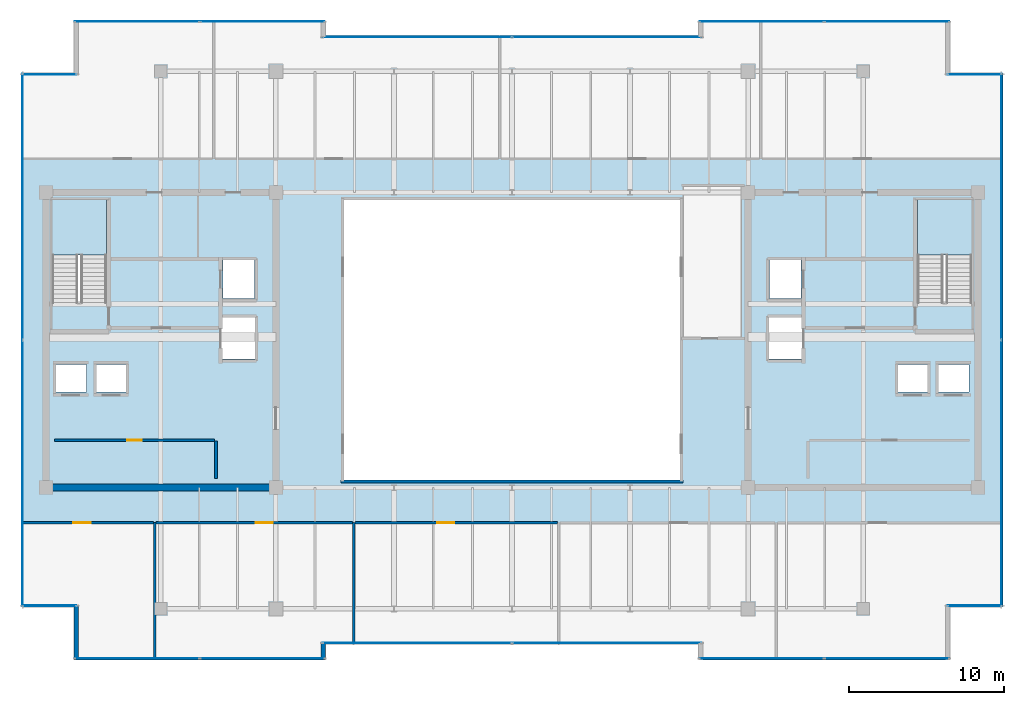
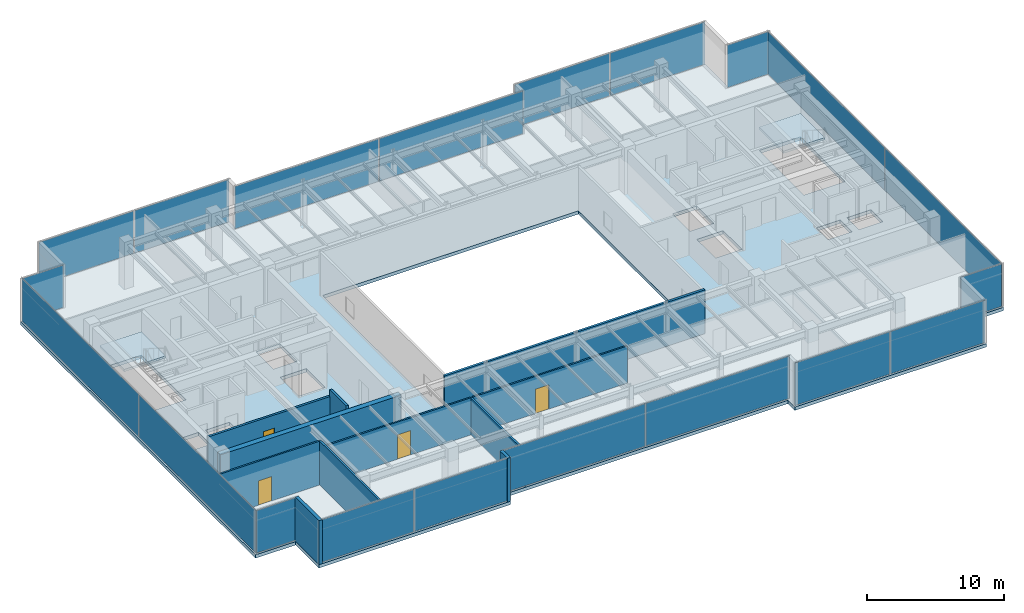
# One storey, part 26 of 34: 20 plates, 11 walls, 4 doors, 3 slabs, 4 openings, 14 elements without a shape of their own.
"""IFC4 building model written with IfcOpenShell, lengths in metres."""

import ifcopenshell
import ifcopenshell.guid

model = None  # the IFC model being written
_history = None  # IfcOwnerHistory: only IFC2X3 demands one
_inside = {}  # id of a spatial element -> (the spatial element, [elements in it])
_under = {}  # id of a project, library or spatial element -> (it, [spatial elements below it])
_declared = {}  # id of a project -> (the project, [libraries it declares])
_typed = {}  # id of a type object -> (the type object, [elements of that type])
_made_of = {}  # id of a material, layer set ... -> (it, [elements and type objects made of it])


def new_model(schema):
    """Start an empty IFC model of exactly this schema.

    Asked for "IFC4X3", IfcOpenShell would pick the latest addendum, in which some entities
    have other attributes; the version numbers below select the first issue.
    IFC2X3 requires an IfcOwnerHistory on every rooted entity: one is made here for all.
    """
    global model, _history
    if schema == "IFC4X3":
        model = ifcopenshell.file(schema_version=(4, 3, 0, 0))
    else:
        model = ifcopenshell.file(schema=schema)
    _inside.clear()
    _under.clear()
    _declared.clear()
    _typed.clear()
    _made_of.clear()
    _history = None
    if model.schema == "IFC2X3":
        org = make("IfcOrganization", Name="unknown")
        user = make(
            "IfcPersonAndOrganization",
            ThePerson=make("IfcPerson", FamilyName="unknown"),
            TheOrganization=org,
        )
        app = make(
            "IfcApplication",
            ApplicationDeveloper=org,
            Version="unknown",
            ApplicationFullName="unknown",
            ApplicationIdentifier="unknown",
        )
        _history = make(
            "IfcOwnerHistory",
            OwningUser=user,
            OwningApplication=app,
            ChangeAction="ADDED",
            CreationDate=0,
        )
    return model


def make(cls, **values):
    """One entity of the class cls with the attributes given. An attribute that is None is left unset."""
    return model.create_entity(
        cls, **{name: value for name, value in values.items() if value is not None}
    )


def rooted(cls, **values):
    """An entity with a GlobalId (a new one), such as an element, a storey or a relation."""
    return make(cls, GlobalId=ifcopenshell.guid.new(), OwnerHistory=_history, **values)


def si_unit(unit_type, name, prefix=None):
    """IfcSIUnit, for example si_unit("LENGTHUNIT", "METRE", prefix="MILLI")."""
    return make("IfcSIUnit", UnitType=unit_type, Prefix=prefix, Name=name)


def assignment(units):
    """IfcUnitAssignment: the units of a project."""
    return None if units is None else make("IfcUnitAssignment", Units=units)


def point(xyz):
    """IfcCartesianPoint."""
    return None if xyz is None else make("IfcCartesianPoint", Coordinates=xyz)


def direction(xyz):
    """IfcDirection."""
    return None if xyz is None else make("IfcDirection", DirectionRatios=xyz)


def frame(location, z_axis=None, x_axis=None):
    """IfcAxis2Placement3D, a coordinate frame: its origin and axes. An axis left out is left unset."""
    return make(
        "IfcAxis2Placement3D",
        Location=point(location),
        Axis=direction(z_axis),
        RefDirection=direction(x_axis),
    )


def frame_2d(location, x_axis=None):
    """IfcAxis2Placement2D, a coordinate frame in the plane: its origin and x axis."""
    return make(
        "IfcAxis2Placement2D", Location=point(location), RefDirection=direction(x_axis)
    )


def origin():
    """The frame at (0, 0, 0) with its axes left unset."""
    return frame((0.0, 0.0, 0.0))


def origin_2d():
    """The frame at (0, 0) in the plane with its x axis left unset."""
    return frame_2d((0.0, 0.0))


def place(relative_to, where):
    """IfcLocalPlacement: puts the frame where relative to a parent placement (None: the world)."""
    return make(
        "IfcLocalPlacement", PlacementRelTo=relative_to, RelativePlacement=where
    )


def context(
    kind, dimensions, precision=None, world=None, true_north=None, identifier=None
):
    """IfcGeometricRepresentationContext, for example the 3D "Model" context."""
    return make(
        "IfcGeometricRepresentationContext",
        ContextIdentifier=identifier,
        ContextType=kind,
        CoordinateSpaceDimension=dimensions,
        Precision=precision,
        WorldCoordinateSystem=world,
        TrueNorth=true_north,
    )


def subcontext(parent, identifier, kind, view, scale=None):
    """IfcGeometricRepresentationSubContext, for example "Body" below "Model"."""
    return make(
        "IfcGeometricRepresentationSubContext",
        ContextIdentifier=identifier,
        ContextType=kind,
        ParentContext=parent,
        TargetScale=scale,
        TargetView=view,
    )


def project(units=None, contexts=None):
    """IfcProject with its units and contexts."""
    return rooted(
        "IfcProject",
        Name="project",
        RepresentationContexts=contexts,
        UnitsInContext=assignment(units),
    )


def spatial(cls, under=None, at=None, **own):
    """A site, building, storey or space (cls), placed at a placement, below another one or the project."""
    s = rooted(cls, ObjectPlacement=at, **own)
    if under is not None:
        _under.setdefault(under.id(), (under, []))[1].append(s)
    return s


def polyline(points):
    """IfcPolyline through the points."""
    return make("IfcPolyline", Points=[point(p) for p in points])


def profile(cls, at=None, kind="AREA", **sizes):
    """A parametric profile (cls). Its sizes go by their IFC names, for example OverallWidth=200.0."""
    return make(cls, ProfileType=kind, Position=at, **sizes)


def rectangle(**sizes):
    """IfcRectangleProfileDef."""
    return profile("IfcRectangleProfileDef", **sizes)


def outline(outer, holes=None, kind="AREA"):
    """IfcArbitraryClosedProfileDef: a profile drawn as a closed curve; with holes, ...WithVoids."""
    if holes is None:
        return make("IfcArbitraryClosedProfileDef", ProfileType=kind, OuterCurve=outer)
    return make(
        "IfcArbitraryProfileDefWithVoids",
        ProfileType=kind,
        OuterCurve=outer,
        InnerCurves=holes,
    )


def extrude(swept, where, along, depth):
    """IfcExtrudedAreaSolid: the profile swept, set in the frame where, extruded along a direction by depth."""
    return make(
        "IfcExtrudedAreaSolid",
        SweptArea=swept,
        Position=where,
        ExtrudedDirection=direction(along),
        Depth=depth,
    )


def shape(context_of_items, identifier, shape_type, items):
    """IfcShapeRepresentation: the items that make up one representation, for example the "Body"."""
    return make(
        "IfcShapeRepresentation",
        ContextOfItems=context_of_items,
        RepresentationIdentifier=identifier,
        RepresentationType=shape_type,
        Items=items,
    )


def source(mapping_origin, context_of_items, identifier, shape_type, items):
    """IfcRepresentationMap: a shape defined once, which mapped items show again and again."""
    return make(
        "IfcRepresentationMap",
        MappingOrigin=mapping_origin,
        MappedRepresentation=shape(context_of_items, identifier, shape_type, items),
    )


def transform(
    local_origin,
    x_axis=None,
    y_axis=None,
    z_axis=None,
    scale=None,
    scale2=None,
    scale3=None,
    uniform=True,
):
    """IfcCartesianTransformationOperator3D, or its non-uniform kind. x_axis, y_axis, z_axis: its Axis1, 2, 3."""
    if uniform:
        return make(
            "IfcCartesianTransformationOperator3D",
            Axis1=direction(x_axis),
            Axis2=direction(y_axis),
            LocalOrigin=point(local_origin),
            Scale=scale,
            Axis3=direction(z_axis),
        )
    return make(
        "IfcCartesianTransformationOperator3DnonUniform",
        Axis1=direction(x_axis),
        Axis2=direction(y_axis),
        LocalOrigin=point(local_origin),
        Scale=scale,
        Axis3=direction(z_axis),
        Scale2=scale2,
        Scale3=scale3,
    )


def mapped(mapping_source, mapping_target):
    """IfcMappedItem: shows the shape of a source again, moved by a transform."""
    return make(
        "IfcMappedItem", MappingSource=mapping_source, MappingTarget=mapping_target
    )


def material(Name=None, Category=None):
    """IfcMaterial."""
    return make("IfcMaterial", Name=Name, Category=Category)


def layer(
    of_material, thickness, ventilated=None, Name=None, Category=None, Priority=None
):
    """IfcMaterialLayer: one layer of a wall or slab, of a material (None: an air gap)."""
    return make(
        "IfcMaterialLayer",
        Material=of_material,
        LayerThickness=thickness,
        IsVentilated=ventilated,
        Name=Name,
        Category=Category,
        Priority=Priority,
    )


def layer_set(layers, Name=None):
    """IfcMaterialLayerSet."""
    return make("IfcMaterialLayerSet", MaterialLayers=layers, LayerSetName=Name)


def made_of(thing, what):
    """Note that an element or type object is made of a material, layer set ...; save() writes the relation."""
    if what is not None:
        _made_of.setdefault(what.id(), (what, []))[1].append(thing)
    return thing


def type_object(cls, material=None, **own):
    """A type object (cls), such as IfcWallType, which elements share."""
    return made_of(rooted(cls, **own), material)


def type_shapes(of_type, sources):
    """Give a type object the sources (RepresentationMaps) that its elements show as mapped items."""
    of_type.RepresentationMaps = sources


def element(
    cls,
    number,
    at=None,
    inside=None,
    cuts=None,
    type_object=None,
    material=None,
    context=None,
    identifier="Body",
    shape_type=None,
    held_by="IfcProductDefinitionShape",
    body=None,
    shapes=None,
    **own,
):
    """One element of the class cls, such as IfcWall. Its Tag is "e" and its number.

    at: its placement. inside: the storey or other place that contains it. cuts: it is an
    opening in that element (IfcRelVoidsElement). A single representation is given by context,
    identifier, shape_type and body (its items); several are given by shapes. held_by: the class
    of the entity that holds the representations. save() writes the other relations.
    """
    e = rooted(cls, Tag="e%d" % number, ObjectPlacement=at, **own)
    if body is not None:
        shapes = [shape(context, identifier, shape_type, body)]
    if shapes is not None:
        e.Representation = make(held_by, Representations=shapes)
    if inside is not None:
        _inside.setdefault(inside.id(), (inside, []))[1].append(e)
    if cuts is not None:
        rooted(
            "IfcRelVoidsElement", RelatingBuildingElement=cuts, RelatedOpeningElement=e
        )
    if type_object is not None:
        _typed.setdefault(type_object.id(), (type_object, []))[1].append(e)
    return made_of(e, material)


def fill(opening, filler):
    """IfcRelFillsElement: the door or window that sits in an opening."""
    return rooted(
        "IfcRelFillsElement",
        RelatingOpeningElement=opening,
        RelatedBuildingElement=filler,
    )


def aggregate(whole, parts):
    """IfcRelAggregates: a whole, such as a stair, and the parts it consists of."""
    return rooted("IfcRelAggregates", RelatingObject=whole, RelatedObjects=parts)


def save(model, path):
    """Write the relations noted so far, then the file.

    IfcRelAggregates (storeys below a building ...), IfcRelContainedInSpatialStructure (elements
    in a storey), IfcRelDefinesByType, IfcRelAssociatesMaterial and IfcRelDeclares: one each for
    every whole, place, type object, material and project.
    """
    for whole, parts in _under.values():
        aggregate(whole, parts)
    for where, things in _inside.values():
        rooted(
            "IfcRelContainedInSpatialStructure",
            RelatedElements=things,
            RelatingStructure=where,
        )
    for kind, things in _typed.values():
        rooted("IfcRelDefinesByType", RelatedObjects=things, RelatingType=kind)
    for what, things in _made_of.values():
        rooted("IfcRelAssociatesMaterial", RelatedObjects=things, RelatingMaterial=what)
    for by, libraries in _declared.values():
        rooted("IfcRelDeclares", RelatingContext=by, RelatedDefinitions=libraries)
    model.write(path)


model = new_model("IFC4")

# Units and contexts
model_context = context("Model", 3, precision=1e-05, world=origin(), true_north=direction((0.0, 1.0)))
body_context = subcontext(model_context, "Body", "Model", "MODEL_VIEW")
ifc_project = project(units=[si_unit("LENGTHUNIT", "METRE"), si_unit("AREAUNIT", "SQUARE_METRE"), si_unit("VOLUMEUNIT", "CUBIC_METRE"), si_unit("PLANEANGLEUNIT", "RADIAN"), si_unit("MASSUNIT", "GRAM", prefix="KILO")], contexts=[model_context])

# Site, building, storey
site_placement = place(None, origin())
site = spatial("IfcSite", under=ifc_project, at=site_placement, CompositionType="ELEMENT")
building_placement = place(site_placement, origin())
building = spatial("IfcBuilding", under=site, at=building_placement, Name="Haelvirn Gate Laboratories", CompositionType="ELEMENT")
storey_placement = place(building_placement, frame((0.0, 0.0, 322.800048828125)))
storey = spatial("IfcBuildingStorey", under=building, at=storey_placement, Name="L77", CompositionType="ELEMENT", Elevation=322.800048828125)

# Stair, slab
ifc_material_1 = material(Name="Concrete C40/50", Category="concrete")
stair_type = type_object("IfcStairType", Name="ST-DOG-1650-R24", PredefinedType="HALF_TURN_STAIR", material=ifc_material_1)
stair_1_placement = place(storey_placement, origin())
stair_1 = element("IfcStair", 1, at=stair_1_placement, inside=storey, type_object=stair_type, Name="L77 Escape Stair ST1", PredefinedType="HALF_TURN_STAIR")
ifc_layer_1 = layer(ifc_material_1, 0.199951171875, Name="SL-STAIR-LND")
ifc_layer_set_1 = layer_set([ifc_layer_1], Name="Concrete C40/50")
slab_type_1 = type_object("IfcSlabType", Name="SL-STAIR-LND", PredefinedType="LANDING", material=ifc_layer_set_1)
slab_1_placement = place(storey_placement, frame((0.0, 0.0, 1.89990234375)))
slab_1 = element("IfcSlab", 2, at=slab_1_placement, type_object=slab_type_1, Name="ST1 landing 1", PredefinedType="LANDING", context=body_context, shape_type="SweptSolid", body=[
    extrude(outline(polyline([(11.300048828125, 29.780029296875), (11.300048828125, 33.35009765625), (7.800048828125, 33.35009765625), (7.800048828125, 29.780029296875), (11.300048828125, 29.780029296875)])), origin(), (0.0, 0.0, 1.0), 0.199951171875),
])
aggregate(stair_1, [slab_1])

stair_2_placement = place(storey_placement, origin())
stair_2 = element("IfcStair", 3, at=stair_2_placement, inside=storey, type_object=stair_type, Name="L77 Escape Stair ST2", PredefinedType="HALF_TURN_STAIR")
slab_2_placement = place(storey_placement, frame((0.0, 0.0, 1.89990234375)))
slab_2 = element("IfcSlab", 4, at=slab_2_placement, type_object=slab_type_1, Name="ST2 landing 1", PredefinedType="LANDING", context=body_context, shape_type="SweptSolid", body=[
    extrude(outline(polyline([(67.0, 29.780029296875), (67.0, 33.35009765625), (63.5, 33.35009765625), (63.5, 29.780029296875), (67.0, 29.780029296875)])), origin(), (0.0, 0.0, 1.0), 0.199951171875),
])
aggregate(stair_2, [slab_2])

# Slab
ifc_layer_2 = layer(ifc_material_1, 0.300048828125, Name="SL-Z3-300")
ifc_layer_set_2 = layer_set([ifc_layer_2], Name="Concrete C40/50")
slab_type_2 = type_object("IfcSlabType", Name="SL-Z3-300", PredefinedType="FLOOR", material=ifc_layer_set_2)
slab_3_placement = place(storey_placement, frame((0.0, 0.0, -0.300048828125)))
element("IfcSlab", 5, at=slab_3_placement, inside=storey, type_object=slab_type_2, Name="L77 Structural Slab MAIN", PredefinedType="FLOOR", context=body_context, shape_type="SweptSolid", body=[
    extrude(outline(polyline([(9.199951171875, 3.699951171875), (25.39990234375, 3.699951171875), (25.39990234375, 4.699951171875), (49.39990234375, 4.699951171875), (49.39990234375, 3.699951171875), (65.60009765625, 3.699951171875), (65.60009765625, 7.10009765625), (69.0, 7.10009765625), (69.0, 41.5), (65.60009765625, 41.5), (65.60009765625, 44.89990234375), (49.39990234375, 44.89990234375), (49.39990234375, 43.89990234375), (25.39990234375, 43.89990234375), (25.39990234375, 44.89990234375), (9.199951171875, 44.89990234375), (9.199951171875, 41.5), (5.800048828125, 41.5), (5.800048828125, 7.10009765625), (9.199951171875, 7.10009765625), (9.199951171875, 3.699951171875)]), holes=[polyline([(26.60009765625, 15.300048828125), (48.199951171875, 15.300048828125), (48.199951171875, 33.300048828125), (26.60009765625, 33.300048828125), (26.60009765625, 15.300048828125)]), polyline([(11.300048828125, 26.780029296875), (11.300048828125, 33.35009765625), (7.800048828125, 33.35009765625), (7.800048828125, 26.780029296875), (11.300048828125, 26.780029296875)]), polyline([(67.0, 26.780029296875), (67.0, 33.35009765625), (63.5, 33.35009765625), (63.5, 26.780029296875), (67.0, 26.780029296875)]), polyline([(7.989990234375, 20.969970703125), (10.010009765625, 20.969970703125), (10.010009765625, 22.7099609375), (7.989990234375, 22.7099609375), (7.989990234375, 20.969970703125)]), polyline([(10.590087890625, 20.969970703125), (12.610107421875, 20.969970703125), (12.610107421875, 22.7099609375), (10.590087890625, 22.7099609375), (10.590087890625, 20.969970703125)]), polyline([(18.7900390625, 26.969970703125), (20.81005859375, 26.969970703125), (20.81005859375, 29.510009765625), (18.7900390625, 29.510009765625), (18.7900390625, 26.969970703125)]), polyline([(18.68994140625, 23.070068359375), (20.909912109375, 23.070068359375), (20.909912109375, 25.81005859375), (18.68994140625, 25.81005859375), (18.68994140625, 23.070068359375)]), polyline([(64.7900390625, 20.969970703125), (66.81005859375, 20.969970703125), (66.81005859375, 22.7099609375), (64.7900390625, 22.7099609375), (64.7900390625, 20.969970703125)]), polyline([(62.18994140625, 20.969970703125), (64.2099609375, 20.969970703125), (64.2099609375, 22.7099609375), (62.18994140625, 22.7099609375), (62.18994140625, 20.969970703125)]), polyline([(53.989990234375, 26.969970703125), (56.010009765625, 26.969970703125), (56.010009765625, 29.510009765625), (53.989990234375, 29.510009765625), (53.989990234375, 26.969970703125)]), polyline([(53.889892578125, 23.070068359375), (56.110107421875, 23.070068359375), (56.110107421875, 25.81005859375), (53.889892578125, 25.81005859375), (53.889892578125, 23.070068359375)])]), origin(), (0.0, 0.0, 1.0), 0.300048828125),
])

# Curtain wall, plates
ifc_material_2 = material(Name="Anodised bronze unitised aluminium & triple low-E glass", Category="aluminium")
ifc_layer_3 = layer(ifc_material_2, 0.176025390625, Name="CW-SYS-4")
ifc_layer_set_3 = layer_set([ifc_layer_3], Name="Anodised bronze unitised aluminium & triple low-E glass")
curtain_wall_type_1 = type_object("IfcCurtainWallType", Name="CW-SYS-4", PredefinedType="NOTDEFINED", material=ifc_layer_set_3)
curtain_wall_1_placement = place(storey_placement, origin())
curtain_wall_1 = element("IfcCurtainWall", 6, at=curtain_wall_1_placement, inside=storey, type_object=curtain_wall_type_1, Name="L77 Unitised Curtain Wall CW-L77-P0-E00-1", PredefinedType="NOTDEFINED")
ifc_material_3 = material(Name="Acoustic laminated bronze triple IGU 36 mm", Category="glass")
ifc_layer_4 = layer(ifc_material_3, 0.035888671875, Name="CWP-IGU-36")
ifc_layer_set_4 = layer_set([ifc_layer_4], Name="Acoustic laminated bronze triple IGU 36 mm")
plate_type_1 = type_object("IfcPlateType", Name="CWP-IGU-36", PredefinedType="CURTAIN_PANEL", material=ifc_layer_set_4)
shared_shape_1 = source(origin(), body_context, "Body", "SweptSolid", [
    extrude(rectangle(XDim=7.9951171875, YDim=0.035888671875, at=origin_2d()), origin(), (0.0, 0.0, 1.0), 3.7900390625),
])
plate_1_placement = place(storey_placement, frame((13.267578125, 3.800048828125, 0.06494140625), z_axis=(0.0, 0.0, 1.0), x_axis=(1.0, 0.0, 0.0)))
plate_1 = element("IfcPlate", 7, at=plate_1_placement, type_object=plate_type_1, Name="CW4 panel 1.1", PredefinedType="CURTAIN_PANEL", context=body_context, shape_type="MappedRepresentation", body=[
    mapped(shared_shape_1, transform((0.0, 0.0, 0.0), scale=1.0)),
])
plate_2_placement = place(storey_placement, frame((21.33251953125, 3.800048828125, 0.06494140625), z_axis=(0.0, 0.0, 1.0), x_axis=(1.0, 0.0, 0.0)))
plate_2 = element("IfcPlate", 8, at=plate_2_placement, type_object=plate_type_1, Name="CW4 panel 2.1", PredefinedType="CURTAIN_PANEL", context=body_context, shape_type="MappedRepresentation", body=[
    mapped(shared_shape_1, transform((0.0, 0.0, 0.0), scale=1.0)),
])
aggregate(curtain_wall_1, [plate_1, plate_2])

curtain_wall_2_placement = place(storey_placement, origin())
curtain_wall_2 = element("IfcCurtainWall", 9, at=curtain_wall_2_placement, inside=storey, type_object=curtain_wall_type_1, Name="L77 Unitised Curtain Wall CW-L77-P0-E04-1", PredefinedType="NOTDEFINED")
plate_3_placement = place(storey_placement, frame((53.467529296875, 3.800048828125, 0.06494140625), z_axis=(0.0, 0.0, 1.0), x_axis=(1.0, 0.0, 0.0)))
plate_3 = element("IfcPlate", 10, at=plate_3_placement, type_object=plate_type_1, Name="CW4 panel 1.1", PredefinedType="CURTAIN_PANEL", context=body_context, shape_type="MappedRepresentation", body=[
    mapped(shared_shape_1, transform((0.0, 0.0, 0.0), scale=1.0)),
])
plate_4_placement = place(storey_placement, frame((61.532470703125, 3.800048828125, 0.06494140625), z_axis=(0.0, 0.0, 1.0), x_axis=(1.0, 0.0, 0.0)))
plate_4 = element("IfcPlate", 11, at=plate_4_placement, type_object=plate_type_1, Name="CW4 panel 2.1", PredefinedType="CURTAIN_PANEL", context=body_context, shape_type="MappedRepresentation", body=[
    mapped(shared_shape_1, transform((0.0, 0.0, 0.0), scale=1.0)),
])
aggregate(curtain_wall_2, [plate_3, plate_4])

curtain_wall_3_placement = place(storey_placement, origin())
curtain_wall_3 = element("IfcCurtainWall", 12, at=curtain_wall_3_placement, inside=storey, type_object=curtain_wall_type_1, Name="L77 Unitised Curtain Wall CW-L77-P0-E10-1", PredefinedType="NOTDEFINED")
plate_5_placement = place(storey_placement, frame((53.467529296875, 44.800048828125, 0.06494140625), z_axis=(0.0, 0.0, 1.0), x_axis=(1.0, 0.0, 0.0)))
plate_5 = element("IfcPlate", 13, at=plate_5_placement, type_object=plate_type_1, Name="CW4 panel 1.1", PredefinedType="CURTAIN_PANEL", context=body_context, shape_type="MappedRepresentation", body=[
    mapped(shared_shape_1, transform((0.0, 0.0, 0.0), scale=1.0)),
])
plate_6_placement = place(storey_placement, frame((61.532470703125, 44.800048828125, 0.06494140625), z_axis=(0.0, 0.0, 1.0), x_axis=(1.0, 0.0, 0.0)))
plate_6 = element("IfcPlate", 14, at=plate_6_placement, type_object=plate_type_1, Name="CW4 panel 2.1", PredefinedType="CURTAIN_PANEL", context=body_context, shape_type="MappedRepresentation", body=[
    mapped(shared_shape_1, transform((0.0, 0.0, 0.0), scale=1.0)),
])
aggregate(curtain_wall_3, [plate_5, plate_6])

curtain_wall_4_placement = place(storey_placement, origin())
curtain_wall_4 = element("IfcCurtainWall", 15, at=curtain_wall_4_placement, inside=storey, type_object=curtain_wall_type_1, Name="L77 Unitised Curtain Wall CW-L77-P0-E14-1", PredefinedType="NOTDEFINED")
plate_7_placement = place(storey_placement, frame((13.267578125, 44.800048828125, 0.06494140625), z_axis=(0.0, 0.0, 1.0), x_axis=(1.0, 0.0, 0.0)))
plate_7 = element("IfcPlate", 16, at=plate_7_placement, type_object=plate_type_1, Name="CW4 panel 1.1", PredefinedType="CURTAIN_PANEL", context=body_context, shape_type="MappedRepresentation", body=[
    mapped(shared_shape_1, transform((0.0, 0.0, 0.0), scale=1.0)),
])
plate_8_placement = place(storey_placement, frame((21.33251953125, 44.800048828125, 0.06494140625), z_axis=(0.0, 0.0, 1.0), x_axis=(1.0, 0.0, 0.0)))
plate_8 = element("IfcPlate", 17, at=plate_8_placement, type_object=plate_type_1, Name="CW4 panel 2.1", PredefinedType="CURTAIN_PANEL", context=body_context, shape_type="MappedRepresentation", body=[
    mapped(shared_shape_1, transform((0.0, 0.0, 0.0), scale=1.0)),
])
aggregate(curtain_wall_4, [plate_7, plate_8])

curtain_wall_5_placement = place(storey_placement, origin())
curtain_wall_5 = element("IfcCurtainWall", 18, at=curtain_wall_5_placement, inside=storey, type_object=curtain_wall_type_1, Name="L77 Unitised Curtain Wall CW-L77-P0-E02-1", PredefinedType="NOTDEFINED")
shared_shape_2 = source(origin(), body_context, "Body", "SweptSolid", [
    extrude(rectangle(XDim=12.135009765625, YDim=0.035888671875, at=origin_2d()), origin(), (0.0, 0.0, 1.0), 3.7900390625),
])
plate_9_placement = place(storey_placement, frame((31.297607421875, 4.800048828125, 0.06494140625), z_axis=(0.0, 0.0, 1.0), x_axis=(1.0, 0.0, 0.0)))
plate_9 = element("IfcPlate", 19, at=plate_9_placement, type_object=plate_type_1, Name="CW4 panel 1.1", PredefinedType="CURTAIN_PANEL", context=body_context, shape_type="MappedRepresentation", body=[
    mapped(shared_shape_2, transform((0.0, 0.0, 0.0), scale=1.0)),
])
plate_10_placement = place(storey_placement, frame((43.50244140625, 4.800048828125, 0.06494140625), z_axis=(0.0, 0.0, 1.0), x_axis=(1.0, 0.0, 0.0)))
plate_10 = element("IfcPlate", 20, at=plate_10_placement, type_object=plate_type_1, Name="CW4 panel 2.1", PredefinedType="CURTAIN_PANEL", context=body_context, shape_type="MappedRepresentation", body=[
    mapped(shared_shape_2, transform((0.0, 0.0, 0.0), scale=1.0)),
])
aggregate(curtain_wall_5, [plate_9, plate_10])

curtain_wall_6_placement = place(storey_placement, origin())
curtain_wall_6 = element("IfcCurtainWall", 21, at=curtain_wall_6_placement, inside=storey, type_object=curtain_wall_type_1, Name="L77 Unitised Curtain Wall CW-L77-P0-E12-1", PredefinedType="NOTDEFINED")
plate_11_placement = place(storey_placement, frame((31.297607421875, 43.800048828125, 0.06494140625), z_axis=(0.0, 0.0, 1.0), x_axis=(1.0, 0.0, 0.0)))
plate_11 = element("IfcPlate", 22, at=plate_11_placement, type_object=plate_type_1, Name="CW4 panel 1.1", PredefinedType="CURTAIN_PANEL", context=body_context, shape_type="MappedRepresentation", body=[
    mapped(shared_shape_2, transform((0.0, 0.0, 0.0), scale=1.0)),
])
plate_12_placement = place(storey_placement, frame((43.50244140625, 43.800048828125, 0.06494140625), z_axis=(0.0, 0.0, 1.0), x_axis=(1.0, 0.0, 0.0)))
plate_12 = element("IfcPlate", 23, at=plate_12_placement, type_object=plate_type_1, Name="CW4 panel 2.1", PredefinedType="CURTAIN_PANEL", context=body_context, shape_type="MappedRepresentation", body=[
    mapped(shared_shape_2, transform((0.0, 0.0, 0.0), scale=1.0)),
])
aggregate(curtain_wall_6, [plate_11, plate_12])

# Curtain wall, plate
ifc_layer_5 = layer(ifc_material_2, 0.181884765625, Name="CW-SYS-5")
ifc_layer_set_5 = layer_set([ifc_layer_5], Name="Anodised bronze unitised aluminium & triple low-E glass")
curtain_wall_type_2 = type_object("IfcCurtainWallType", Name="CW-SYS-5", PredefinedType="NOTDEFINED", material=ifc_layer_set_5)
curtain_wall_7_placement = place(storey_placement, origin())
curtain_wall_7 = element("IfcCurtainWall", 24, at=curtain_wall_7_placement, inside=storey, type_object=curtain_wall_type_2, Name="L77 Unitised Curtain Wall CW-L77-P0-E06-1", PredefinedType="NOTDEFINED")
ifc_material_4 = material(Name="Clear low-iron notched-corner triple IGU 42 mm", Category="glass")
ifc_layer_6 = layer(ifc_material_4, 0.0419921875, Name="CWP-NTC-42")
ifc_layer_set_6 = layer_set([ifc_layer_6], Name="Clear low-iron notched-corner triple IGU 42 mm")
plate_type_2 = type_object("IfcPlateType", Name="CWP-NTC-42", PredefinedType="CURTAIN_PANEL", material=ifc_layer_set_6)
shared_shape_3 = source(origin(), body_context, "Body", "SweptSolid", [
    extrude(rectangle(XDim=3.47998046875, YDim=0.0419921875, at=origin_2d()), origin(), (0.0, 0.0, 1.0), 3.7900390625),
])
type_shapes(plate_type_2, [shared_shape_3])
plate_13_placement = place(storey_placement, frame((67.179931640625, 7.199951171875, 0.06494140625), z_axis=(0.0, 0.0, 1.0), x_axis=(1.0, 0.0, 0.0)))
plate_13 = element("IfcPlate", 25, at=plate_13_placement, type_object=plate_type_2, Name="CW5 panel 1.1", PredefinedType="CURTAIN_PANEL", context=body_context, shape_type="MappedRepresentation", body=[
    mapped(shared_shape_3, transform((0.0, 0.0, 0.0), scale=1.0)),
])
aggregate(curtain_wall_7, [plate_13])

curtain_wall_8_placement = place(storey_placement, origin())
curtain_wall_8 = element("IfcCurtainWall", 26, at=curtain_wall_8_placement, inside=storey, type_object=curtain_wall_type_2, Name="L77 Unitised Curtain Wall CW-L77-P0-E08-1", PredefinedType="NOTDEFINED")
plate_14_placement = place(storey_placement, frame((67.179931640625, 41.39990234375, 0.06494140625), z_axis=(0.0, 0.0, 1.0), x_axis=(1.0, 0.0, 0.0)))
plate_14 = element("IfcPlate", 27, at=plate_14_placement, type_object=plate_type_2, Name="CW5 panel 1.1", PredefinedType="CURTAIN_PANEL", context=body_context, shape_type="MappedRepresentation", body=[
    mapped(shared_shape_3, transform((0.0, 0.0, 0.0), scale=1.0)),
])
aggregate(curtain_wall_8, [plate_14])

curtain_wall_9_placement = place(storey_placement, origin())
curtain_wall_9 = element("IfcCurtainWall", 28, at=curtain_wall_9_placement, inside=storey, type_object=curtain_wall_type_2, Name="L77 Unitised Curtain Wall CW-L77-P0-E16-1", PredefinedType="NOTDEFINED")
plate_15_placement = place(storey_placement, frame((7.6201171875, 41.39990234375, 0.06494140625), z_axis=(0.0, 0.0, 1.0), x_axis=(1.0, 0.0, 0.0)))
plate_15 = element("IfcPlate", 29, at=plate_15_placement, type_object=plate_type_2, Name="CW5 panel 1.1", PredefinedType="CURTAIN_PANEL", context=body_context, shape_type="MappedRepresentation", body=[
    mapped(shared_shape_3, transform((0.0, 0.0, 0.0), scale=1.0)),
])
aggregate(curtain_wall_9, [plate_15])

curtain_wall_10_placement = place(storey_placement, origin())
curtain_wall_10 = element("IfcCurtainWall", 30, at=curtain_wall_10_placement, inside=storey, type_object=curtain_wall_type_2, Name="L77 Unitised Curtain Wall CW-L77-P0-E18-1", PredefinedType="NOTDEFINED")
plate_16_placement = place(storey_placement, frame((7.6201171875, 7.199951171875, 0.06494140625), z_axis=(0.0, 0.0, 1.0), x_axis=(1.0, 0.0, 0.0)))
plate_16 = element("IfcPlate", 31, at=plate_16_placement, type_object=plate_type_2, Name="CW5 panel 1.1", PredefinedType="CURTAIN_PANEL", context=body_context, shape_type="MappedRepresentation", body=[
    mapped(shared_shape_3, transform((0.0, 0.0, 0.0), scale=1.0)),
])
aggregate(curtain_wall_10, [plate_16])

# Curtain wall, plates
curtain_wall_11_placement = place(storey_placement, origin())
curtain_wall_11 = element("IfcCurtainWall", 32, at=curtain_wall_11_placement, inside=storey, type_object=curtain_wall_type_1, Name="L77 Unitised Curtain Wall CW-L77-P0-E07", PredefinedType="NOTDEFINED")
shared_shape_4 = source(origin(), body_context, "Body", "SweptSolid", [
    extrude(rectangle(XDim=17.094970703125, YDim=0.035888671875, at=origin_2d()), origin(), (0.0, 0.0, 1.0), 3.7900390625),
])
type_shapes(plate_type_1, [shared_shape_1, shared_shape_2, shared_shape_4])
plate_17_placement = place(storey_placement, frame((68.89990234375, 15.717529296875, 0.06494140625), z_axis=(0.0, 0.0, 1.0), x_axis=(0.0, 1.0, 0.0)))
plate_17 = element("IfcPlate", 33, at=plate_17_placement, type_object=plate_type_1, Name="CW4 panel 1.1", PredefinedType="CURTAIN_PANEL", context=body_context, shape_type="MappedRepresentation", body=[
    mapped(shared_shape_4, transform((0.0, 0.0, 0.0), scale=1.0)),
])
plate_18_placement = place(storey_placement, frame((68.89990234375, 32.882568359375, 0.06494140625), z_axis=(0.0, 0.0, 1.0), x_axis=(0.0, 1.0, 0.0)))
plate_18 = element("IfcPlate", 34, at=plate_18_placement, type_object=plate_type_1, Name="CW4 panel 2.1", PredefinedType="CURTAIN_PANEL", context=body_context, shape_type="MappedRepresentation", body=[
    mapped(shared_shape_4, transform((0.0, 0.0, 0.0), scale=1.0)),
])
aggregate(curtain_wall_11, [plate_17, plate_18])

curtain_wall_12_placement = place(storey_placement, origin())
curtain_wall_12 = element("IfcCurtainWall", 35, at=curtain_wall_12_placement, inside=storey, type_object=curtain_wall_type_1, Name="L77 Unitised Curtain Wall CW-L77-P0-E17", PredefinedType="NOTDEFINED")
plate_19_placement = place(storey_placement, frame((5.89990234375, 32.882568359375, 0.06494140625), z_axis=(0.0, 0.0, 1.0), x_axis=(0.0, -1.0, 0.0)))
plate_19 = element("IfcPlate", 36, at=plate_19_placement, type_object=plate_type_1, Name="CW4 panel 1.1", PredefinedType="CURTAIN_PANEL", context=body_context, shape_type="MappedRepresentation", body=[
    mapped(shared_shape_4, transform((0.0, 0.0, 0.0), scale=1.0)),
])
plate_20_placement = place(storey_placement, frame((5.89990234375, 15.717529296875, 0.06494140625), z_axis=(0.0, 0.0, 1.0), x_axis=(0.0, -1.0, 0.0)))
plate_20 = element("IfcPlate", 37, at=plate_20_placement, type_object=plate_type_1, Name="CW4 panel 2.1", PredefinedType="CURTAIN_PANEL", context=body_context, shape_type="MappedRepresentation", body=[
    mapped(shared_shape_4, transform((0.0, 0.0, 0.0), scale=1.0)),
])
aggregate(curtain_wall_12, [plate_19, plate_20])

# Walls
ifc_material_5 = material(Name="Thermally-broken bronze aluminium rainscreen & mineral wool", Category="aluminium")
ifc_layer_7 = layer(ifc_material_5, 0.280029296875, Name="EW-TERR-280")
ifc_layer_set_7 = layer_set([ifc_layer_7], Name="Thermally-broken bronze aluminium rainscreen & mineral wool")
wall_type_1 = type_object("IfcWallType", Name="EW-TERR-280", PredefinedType="STANDARD", material=ifc_layer_set_7)
wall_1_placement = place(storey_placement, frame((25.260009765625, 3.699951171875, 0.0), z_axis=(0.0, 0.0, 1.0), x_axis=(0.0, 1.0, 0.0)))
element("IfcWall", 38, at=wall_1_placement, inside=storey, type_object=wall_type_1, Name="L77 Atrium Recess Bronze Return Wall 01", PredefinedType="STANDARD", context=body_context, shape_type="SweptSolid", body=[
    extrude(rectangle(XDim=1.093017578125, YDim=0.280029296875, at=frame_2d((0.54638671875, 0.0))), origin(), (0.0, 0.0, 1.0), 3.919921875),
])
wall_2_placement = place(storey_placement, frame((9.340087890625, 7.18798828125, 0.0), z_axis=(0.0, 0.0, 1.0), x_axis=(0.0, -1.0, 0.0)))
element("IfcWall", 39, at=wall_2_placement, inside=storey, type_object=wall_type_1, Name="L77 Atrium Recess Bronze Return Wall 19", PredefinedType="STANDARD", context=body_context, shape_type="SweptSolid", body=[
    extrude(rectangle(XDim=3.488037109375, YDim=0.280029296875, at=frame_2d((1.744140625, 0.0))), origin(), (0.0, 0.0, 1.0), 3.919921875),
])
ifc_material_6 = material(Name="Double-layer acoustic gypsum laboratory partition", Category="gypsum")
ifc_layer_8 = layer(ifc_material_6, 0.159912109375, Name="IW-ACOUST-160")
ifc_layer_set_8 = layer_set([ifc_layer_8], Name="Double-layer acoustic gypsum laboratory partition")
wall_type_2 = type_object("IfcWallType", Name="IW-ACOUST-160", PredefinedType="PARTITIONING", material=ifc_layer_set_8)
wall_3_placement = place(storey_placement, frame((14.39990234375, 3.81005859375, 0.0), z_axis=(0.0, 0.0, 1.0), x_axis=(0.0, 1.0, 0.0)))
element("IfcWall", 40, at=wall_3_placement, inside=storey, type_object=wall_type_2, Name="L77 Interior Wall IW-L77-SDIV-01", PredefinedType="PARTITIONING", context=body_context, shape_type="SweptSolid", body=[
    extrude(rectangle(XDim=8.72998046875, YDim=0.159912109375, at=frame_2d((4.364990234375, 0.0))), origin(), (0.0, 0.0, 1.0), 3.919921875),
])
wall_4_placement = place(storey_placement, frame((27.199951171875, 4.81005859375, 0.0), z_axis=(0.0, 0.0, 1.0), x_axis=(0.0, 1.0, 0.0)))
element("IfcWall", 41, at=wall_4_placement, inside=storey, type_object=wall_type_2, Name="L77 Interior Wall IW-L77-SDIV-02", PredefinedType="PARTITIONING", context=body_context, shape_type="SweptSolid", body=[
    extrude(rectangle(XDim=7.72998046875, YDim=0.159912109375, at=frame_2d((3.864990234375, 0.0))), origin(), (0.0, 0.0, 1.0), 3.2548828125),
])
ifc_material_7 = material(Name="Tempered fire-rated borosilicate glass & anodised aluminium", Category="aluminium")
ifc_layer_9 = layer(ifc_material_7, 0.195068359375, Name="IW-GLAZ-200")
ifc_layer_set_9 = layer_set([ifc_layer_9], Name="Tempered fire-rated borosilicate glass & anodised aluminium")
wall_type_3 = type_object("IfcWallType", Name="IW-GLAZ-200", PredefinedType="SOLIDWALL", material=ifc_layer_set_9)
wall_5_placement = place(storey_placement, frame((26.39990234375, 15.199951171875, 0.0), z_axis=(0.0, 0.0, 1.0), x_axis=(1.0, 0.0, 0.0)))
element("IfcWall", 42, at=wall_5_placement, inside=storey, type_object=wall_type_3, Name="L77 Interior Wall IW-L77-ATRIUM-S", PredefinedType="SOLIDWALL", context=body_context, shape_type="SweptSolid", body=[
    extrude(rectangle(XDim=22.0, YDim=0.195068359375, at=frame_2d((11.0, 0.0))), origin(), (0.0, 0.0, 1.0), 3.919921875),
])

# Wall, opening, door
ifc_material_8 = material(Name="Acoustic mineral-wool gypsum board partition", Category="gypsum")
ifc_layer_10 = layer(ifc_material_8, 0.139892578125, Name="IW-PART-140")
ifc_layer_set_10 = layer_set([ifc_layer_10], Name="Acoustic mineral-wool gypsum board partition")
wall_type_4 = type_object("IfcWallType", Name="IW-PART-140", PredefinedType="PARTITIONING", material=ifc_layer_set_10)
wall_6_placement = place(storey_placement, frame((5.909912109375, 12.5400390625, 0.0), z_axis=(0.0, 0.0, 1.0), x_axis=(1.0, 0.0, 0.0)))
wall_6 = element("IfcWall", 43, at=wall_6_placement, inside=storey, type_object=wall_type_4, Name="L77 Interior Wall IW-L77-SCORR-01", PredefinedType="PARTITIONING", context=body_context, shape_type="SweptSolid", body=[
    extrude(rectangle(XDim=8.41015625, YDim=0.139892578125, at=frame_2d((4.205078125, 0.0))), origin(), (0.0, 0.0, 1.0), 3.919921875),
])
opening_1_placement = place(wall_6_placement, frame((3.25830078125, 0.0, 0.0)))
opening_1 = element("IfcOpeningElement", 44, at=opening_1_placement, cuts=wall_6, Name="Opening D1", PredefinedType="OPENING", context=body_context, shape_type="SweptSolid", body=[
    extrude(rectangle(XDim=1.10009765625, YDim=2.179931640625, at=frame_2d((0.550048828125, 1.08984375))), frame((0.0, 0.080078125, 0.0), z_axis=(0.0, -1.0, 0.0), x_axis=(1.0, 0.0, 0.0)), (0.0, 0.0, 1.0), 0.159912109375),
])
ifc_material_9 = material(Name="Vision-panel acoustic solid-core timber lab door", Category="wood")
door_type_1 = type_object("IfcDoorType", Name="DR-LAB-1100", OperationType="NOTDEFINED", PredefinedType="DOOR", material=ifc_material_9)
shared_shape_5 = source(origin(), body_context, "Body", "SweptSolid", [
    extrude(rectangle(XDim=1.10009765625, YDim=2.179931640625, at=frame_2d((0.550048828125, 1.08984375))), frame((0.0, 0.02490234375, 0.0), z_axis=(0.0, -1.0, 0.0), x_axis=(1.0, 0.0, 0.0)), (0.0, 0.0, 1.0), 0.050048828125),
])
type_shapes(door_type_1, [shared_shape_5])
door_1_placement = place(opening_1_placement, origin())
door_1 = element("IfcDoor", 45, at=door_1_placement, inside=storey, type_object=door_type_1, Name="L77 Translational Data Office Door S1", OperationType="SINGLE_SWING_RIGHT", OverallHeight=2.179931640625, OverallWidth=1.10009765625, PredefinedType="DOOR", context=body_context, shape_type="MappedRepresentation", body=[
    mapped(shared_shape_5, transform((0.0, 0.0, 0.0), scale=1.0)),
])
fill(opening_1, door_1)

wall_7_placement = place(storey_placement, frame((14.47998046875, 12.5400390625, 0.0), z_axis=(0.0, 0.0, 1.0), x_axis=(1.0, 0.0, 0.0)))
wall_7 = element("IfcWall", 46, at=wall_7_placement, inside=storey, type_object=wall_type_4, Name="L77 Interior Wall IW-L77-SCORR-02", PredefinedType="PARTITIONING", context=body_context, shape_type="SweptSolid", body=[
    extrude(rectangle(XDim=12.64013671875, YDim=0.139892578125, at=frame_2d((6.320068359375, 0.0))), origin(), (0.0, 0.0, 1.0), 3.31689453125),
])
opening_2_placement = place(wall_7_placement, frame((6.42041015625, 0.0, 0.0)))
opening_2 = element("IfcOpeningElement", 47, at=opening_2_placement, cuts=wall_7, Name="Opening D1", PredefinedType="OPENING", context=body_context, shape_type="SweptSolid", body=[
    extrude(rectangle(XDim=1.10009765625, YDim=2.179931640625, at=frame_2d((0.550048828125, 1.08984375))), frame((0.0, 0.080078125, 0.0), z_axis=(0.0, -1.0, 0.0), x_axis=(1.0, 0.0, 0.0)), (0.0, 0.0, 1.0), 0.159912109375),
])
door_2_placement = place(opening_2_placement, origin())
door_2 = element("IfcDoor", 48, at=door_2_placement, inside=storey, type_object=door_type_1, Name="L77 Computational Write-Up Office Door S2", OperationType="SINGLE_SWING_LEFT", OverallHeight=2.179931640625, OverallWidth=1.10009765625, PredefinedType="DOOR", context=body_context, shape_type="MappedRepresentation", body=[
    mapped(shared_shape_5, transform((0.0, 0.0, 0.0), scale=1.0)),
])
fill(opening_2, door_2)

wall_8_placement = place(storey_placement, frame((27.280029296875, 12.5400390625, 0.0), z_axis=(0.0, 0.0, 1.0), x_axis=(1.0, 0.0, 0.0)))
wall_8 = element("IfcWall", 49, at=wall_8_placement, inside=storey, type_object=wall_type_4, Name="L77 Interior Wall IW-L77-SCORR-03", PredefinedType="PARTITIONING", context=body_context, shape_type="SweptSolid", body=[
    extrude(rectangle(XDim=13.0400390625, YDim=0.139892578125, at=frame_2d((6.52001953125, 0.0))), origin(), (0.0, 0.0, 1.0), 3.31689453125),
])
opening_3_placement = place(wall_8_placement, frame((5.295654296875, 0.0, 0.0)))
opening_3 = element("IfcOpeningElement", 50, at=opening_3_placement, cuts=wall_8, Name="Opening D1", PredefinedType="OPENING", context=body_context, shape_type="SweptSolid", body=[
    extrude(rectangle(XDim=1.10009765625, YDim=2.179931640625, at=frame_2d((0.550048828125, 1.08984375))), frame((0.0, 0.080078125, 0.0), z_axis=(0.0, -1.0, 0.0), x_axis=(1.0, 0.0, 0.0)), (0.0, 0.0, 1.0), 0.159912109375),
])
door_3_placement = place(opening_3_placement, origin())
door_3 = element("IfcDoor", 51, at=door_3_placement, inside=storey, type_object=door_type_1, Name="L77 Bioinformatics Dry-Lab Workspace Door S3", OperationType="SINGLE_SWING_RIGHT", OverallHeight=2.179931640625, OverallWidth=1.10009765625, PredefinedType="DOOR", context=body_context, shape_type="MappedRepresentation", body=[
    mapped(shared_shape_5, transform((0.0, 0.0, 0.0), scale=1.0)),
])
fill(opening_3, door_3)

ifc_layer_11 = layer(ifc_material_1, 0.179931640625, Name="IW-SHAFT-180")
ifc_layer_set_11 = layer_set([ifc_layer_11], Name="Concrete C40/50")
wall_type_5 = type_object("IfcWallType", Name="IW-SHAFT-180", PredefinedType="SOLIDWALL", material=ifc_layer_set_11)
wall_9_placement = place(storey_placement, frame((7.949951171875, 17.85009765625, 0.0), z_axis=(0.0, 0.0, 1.0), x_axis=(1.0, 0.0, 0.0)))
wall_9 = element("IfcWall", 52, at=wall_9_placement, inside=storey, type_object=wall_type_5, Name="L77 Interior Wall IW-L77-W-FREED-HN-1", PredefinedType="SOLIDWALL", context=body_context, shape_type="SweptSolid", body=[
    extrude(rectangle(XDim=10.300048828125, YDim=0.179931640625, at=frame_2d((5.14990234375, 0.0))), origin(), (0.0, 0.0, 1.0), 3.31689453125),
])
opening_4_placement = place(wall_9_placement, frame((4.675048828125, 0.0, 0.0)))
opening_4 = element("IfcOpeningElement", 53, at=opening_4_placement, cuts=wall_9, Name="Opening FD4", PredefinedType="OPENING", context=body_context, shape_type="SweptSolid", body=[
    extrude(rectangle(XDim=0.949951171875, YDim=2.14990234375, at=frame_2d((0.47509765625, 1.074951171875))), frame((0.0, 0.10009765625, 0.0), z_axis=(0.0, -1.0, 0.0), x_axis=(1.0, 0.0, 0.0)), (0.0, 0.0, 1.0), 0.199951171875),
])
ifc_material_10 = material(Name="Fire-rated steel SM355 core service door", Category="steel")
door_type_2 = type_object("IfcDoorType", Name="DR-FD-950", OperationType="NOTDEFINED", PredefinedType="DOOR", material=ifc_material_10)
shared_shape_6 = source(origin(), body_context, "Body", "SweptSolid", [
    extrude(rectangle(XDim=0.949951171875, YDim=2.14990234375, at=frame_2d((0.47509765625, 1.074951171875))), frame((0.0, 0.02490234375, 0.0), z_axis=(0.0, -1.0, 0.0), x_axis=(1.0, 0.0, 0.0)), (0.0, 0.0, 1.0), 0.050048828125),
])
type_shapes(door_type_2, [shared_shape_6])
door_4_placement = place(opening_4_placement, origin())
door_4 = element("IfcDoor", 54, at=door_4_placement, inside=storey, type_object=door_type_2, Name="L77 High-Zone Cryogenic Biobank Vault Door", OperationType="SINGLE_SWING_LEFT", OverallHeight=2.14990234375, OverallWidth=0.949951171875, PredefinedType="DOOR", context=body_context, shape_type="MappedRepresentation", body=[
    mapped(shared_shape_6, transform((0.0, 0.0, 0.0), scale=1.0)),
])
fill(opening_4, door_4)

# Walls
wall_10_placement = place(storey_placement, frame((18.340087890625, 15.39990234375, 0.0), z_axis=(0.0, 0.0, 1.0), x_axis=(0.0, 1.0, 0.0)))
element("IfcWall", 55, at=wall_10_placement, inside=storey, type_object=wall_type_5, Name="L77 Interior Wall IW-L77-W-FREED-HE-1", PredefinedType="SOLIDWALL", context=body_context, shape_type="SweptSolid", body=[
    extrude(rectangle(XDim=2.400146484375, YDim=0.179931640625, at=frame_2d((1.2001953125, 0.0))), origin(), (0.0, 0.0, 1.0), 3.919921875),
])
ifc_material_11 = material(Name="Concrete C50/60", Category="concrete")
ifc_layer_12 = layer(ifc_material_11, 0.449951171875, Name="SW-CORE-450")
ifc_layer_set_12 = layer_set([ifc_layer_12], Name="Concrete C50/60")
wall_type_6 = type_object("IfcWallType", Name="SW-CORE-450", PredefinedType="SHEAR", material=ifc_layer_set_12)
wall_11_placement = place(storey_placement, frame((7.175048828125, 14.800048828125, 0.0), z_axis=(0.0, 0.0, 1.0), x_axis=(1.0, 0.0, 0.0)))
element("IfcWall", 56, at=wall_11_placement, inside=storey, type_object=wall_type_6, Name="L77 W Core Shear Wall S", PredefinedType="SHEAR", context=body_context, shape_type="SweptSolid", body=[
    extrude(rectangle(XDim=15.25, YDim=0.449951171875, at=frame_2d((7.625, 0.0))), origin(), (0.0, 0.0, 1.0), 3.919921875),
])

save(model, "model.ifc")
